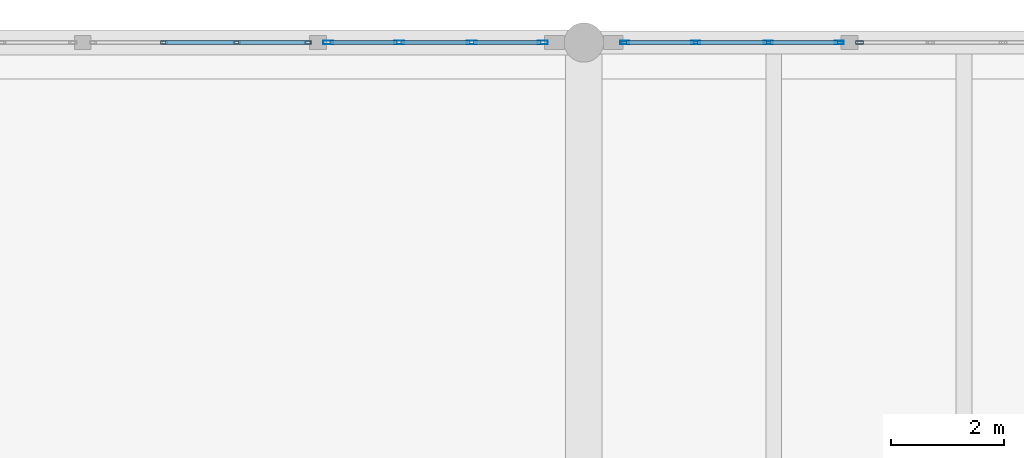
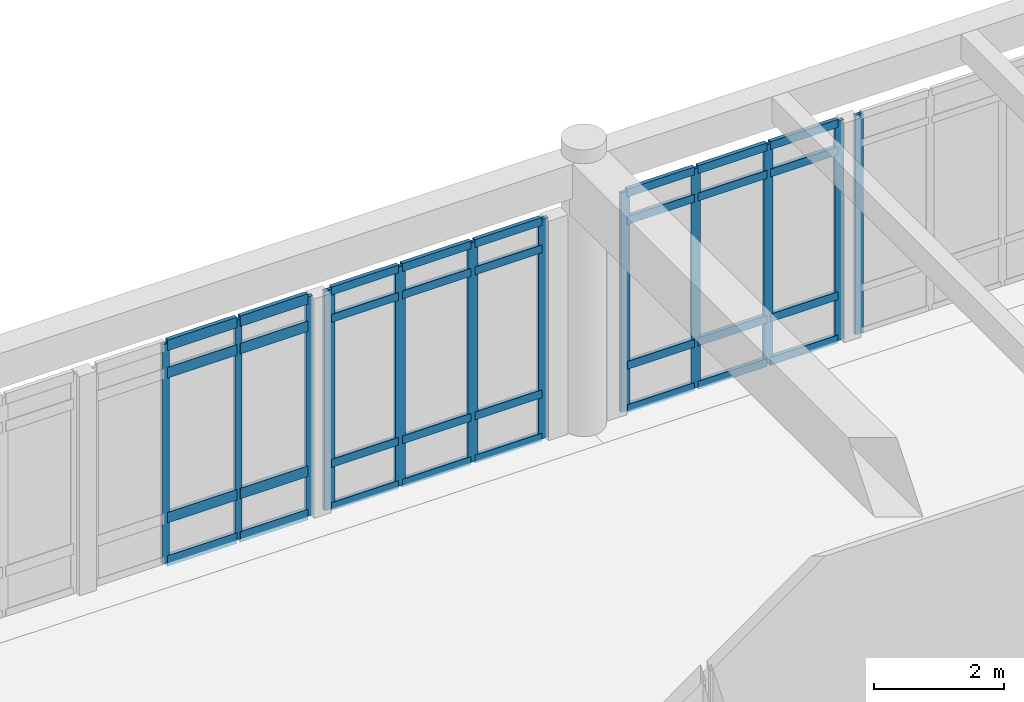
# One storey, part 56 of 138: 44 members, 4 elements without a shape of their own.
"""IFC4 building model written with IfcOpenShell, lengths in metres."""

from ifc_helpers import new_model, si_unit, direction, frame, origin, origin_2d, place, context, subcontext, project, spatial, hollow_rectangle, extrude, material, layer, layer_set, material_profile, profile_set, type_object, element, aggregate, save


model = new_model("IFC4")

# Units and contexts
model_context = context("Model", 3, precision=1e-05, world=origin(), true_north=direction((0.0, 1.0)))
body_context = subcontext(model_context, "Body", "Model", "MODEL_VIEW")
ifc_project = project(units=[si_unit("LENGTHUNIT", "METRE"), si_unit("AREAUNIT", "SQUARE_METRE"), si_unit("VOLUMEUNIT", "CUBIC_METRE"), si_unit("PLANEANGLEUNIT", "RADIAN"), si_unit("MASSUNIT", "GRAM", prefix="KILO")], contexts=[model_context])

# Site, building, storey
site_placement = place(None, origin())
site = spatial("IfcSite", under=ifc_project, at=site_placement, CompositionType="ELEMENT")
building_placement = place(site_placement, origin())
building = spatial("IfcBuilding", under=site, at=building_placement, Name="Fikremerkos Civic Library", CompositionType="ELEMENT")
storey_placement = place(building_placement, origin())
storey = spatial("IfcBuildingStorey", under=building, at=storey_placement, Name="L00", CompositionType="ELEMENT", Elevation=0.0)

# Curtain wall, members
ifc_material = material(Name="Anodized aluminium Frame", Category="aluminium")
ifc_layer_1 = layer(ifc_material, 0.159912109375, Name="Anodized aluminium Frame")
ifc_layer_set_1 = layer_set([ifc_layer_1], Name="Anodized aluminium Frame")
curtain_wall_type_1 = type_object("IfcCurtainWallType", Name="Unitised curtain wall CW-09 3600x3400", PredefinedType="USERDEFINED", material=ifc_layer_set_1)
curtain_wall_1_placement = place(storey_placement, origin())
curtain_wall_1 = element("IfcCurtainWall", 1, at=curtain_wall_1_placement, inside=storey, type_object=curtain_wall_type_1, Name="Unitised curtain wall CW-09 L00 #45", ObjectType="UNITISED CURTAIN WALL", PredefinedType="USERDEFINED")
ifc_material_profile_1 = material_profile(ifc_material, hollow_rectangle(XDim=0.06494140625, YDim=0.179931640625, WallThickness=0.00439453125, at=origin_2d()), Name="ALU 180x65x4.5")
ifc_profile_set_1 = profile_set([ifc_material_profile_1], Name="Anodized aluminium Frame")
member_type_1 = type_object("IfcMemberType", Name="Curtain mullion CWM-01 ALU 180x65x4.5", PredefinedType="MULLION", material=ifc_profile_set_1)
member_1_placement = place(storey_placement, frame((82.158203125, 117.60009765625, 0.0), z_axis=(0.0, 0.0, 1.0), x_axis=(0.0, 1.0, 0.0)))
member_1 = element("IfcMember", 2, at=member_1_placement, type_object=member_type_1, Name="CW-09 mullion 1", PredefinedType="MULLION", context=body_context, shape_type="SweptSolid", body=[
    extrude(hollow_rectangle(XDim=0.06494140625, YDim=0.179931640625, WallThickness=0.00439453125, at=origin_2d()), origin(), (0.0, 0.0, 1.0), 4.1298828125),
])
member_2_placement = place(storey_placement, frame((83.417724609375, 117.60009765625, 0.0), z_axis=(0.0, 0.0, 1.0), x_axis=(0.0, 1.0, 0.0)))
member_2 = element("IfcMember", 3, at=member_2_placement, type_object=member_type_1, Name="CW-09 mullion 2", PredefinedType="MULLION", context=body_context, shape_type="SweptSolid", body=[
    extrude(hollow_rectangle(XDim=0.06494140625, YDim=0.179931640625, WallThickness=0.00439453125, at=origin_2d()), origin(), (0.0, 0.0, 1.0), 4.1298828125),
])
member_3_placement = place(storey_placement, frame((84.7099609375, 117.60009765625, 0.0), z_axis=(0.0, 0.0, 1.0), x_axis=(0.0, 1.0, 0.0)))
member_3 = element("IfcMember", 4, at=member_3_placement, type_object=member_type_1, Name="CW-09 mullion 3", PredefinedType="MULLION", context=body_context, shape_type="SweptSolid", body=[
    extrude(hollow_rectangle(XDim=0.06494140625, YDim=0.179931640625, WallThickness=0.00439453125, at=origin_2d()), origin(), (0.0, 0.0, 1.0), 4.1298828125),
])
member_4_placement = place(storey_placement, frame((85.969482421875, 117.60009765625, 0.0), z_axis=(0.0, 0.0, 1.0), x_axis=(0.0, 1.0, 0.0)))
member_4 = element("IfcMember", 5, at=member_4_placement, type_object=member_type_1, Name="CW-09 mullion 4", PredefinedType="MULLION", context=body_context, shape_type="SweptSolid", body=[
    extrude(hollow_rectangle(XDim=0.06494140625, YDim=0.179931640625, WallThickness=0.00439453125, at=origin_2d()), origin(), (0.0, 0.0, 1.0), 4.1298828125),
])

ifc_layer_2 = layer(ifc_material, 0.159912109375, Name="Anodized aluminium Frame")
ifc_layer_set_2 = layer_set([ifc_layer_2], Name="Anodized aluminium Frame")
curtain_wall_type_2 = type_object("IfcCurtainWallType", Name="Unitised curtain wall CW-10 4000x3400", PredefinedType="USERDEFINED", material=ifc_layer_set_2)
curtain_wall_2_placement = place(storey_placement, origin())
curtain_wall_2 = element("IfcCurtainWall", 6, at=curtain_wall_2_placement, inside=storey, type_object=curtain_wall_type_2, Name="Unitised curtain wall CW-10 L00 #46", ObjectType="UNITISED CURTAIN WALL", PredefinedType="USERDEFINED")
ifc_material_profile_2 = material_profile(ifc_material, hollow_rectangle(XDim=0.06005859375, YDim=0.159912109375, WallThickness=0.00390625, at=origin_2d()), Name="ALU 160x60x4")
ifc_profile_set_2 = profile_set([ifc_material_profile_2], Name="Anodized aluminium Frame")
member_type_2 = type_object("IfcMemberType", Name="Curtain mullion CWM-02 ALU 160x60x4", PredefinedType="MULLION", material=ifc_profile_set_2)
member_5_placement = place(storey_placement, frame((87.427978515625, 117.60009765625, 0.0), z_axis=(0.0, 0.0, 1.0), x_axis=(0.0, 1.0, 0.0)))
member_5 = element("IfcMember", 7, at=member_5_placement, type_object=member_type_2, Name="CW-10 mullion 1", PredefinedType="MULLION", context=body_context, shape_type="SweptSolid", body=[
    extrude(hollow_rectangle(XDim=0.06005859375, YDim=0.159912109375, WallThickness=0.00390625, at=origin_2d()), origin(), (0.0, 0.0, 1.0), 4.1298828125),
])
member_6_placement = place(storey_placement, frame((88.687255859375, 117.60009765625, 0.0), z_axis=(0.0, 0.0, 1.0), x_axis=(0.0, 1.0, 0.0)))
member_6 = element("IfcMember", 8, at=member_6_placement, type_object=member_type_2, Name="CW-10 mullion 2", PredefinedType="MULLION", context=body_context, shape_type="SweptSolid", body=[
    extrude(hollow_rectangle(XDim=0.06005859375, YDim=0.159912109375, WallThickness=0.00390625, at=origin_2d()), origin(), (0.0, 0.0, 1.0), 4.1298828125),
])
member_7_placement = place(storey_placement, frame((89.9765625, 117.60009765625, 0.0), z_axis=(0.0, 0.0, 1.0), x_axis=(0.0, 1.0, 0.0)))
member_7 = element("IfcMember", 9, at=member_7_placement, type_object=member_type_2, Name="CW-10 mullion 3", PredefinedType="MULLION", context=body_context, shape_type="SweptSolid", body=[
    extrude(hollow_rectangle(XDim=0.06005859375, YDim=0.159912109375, WallThickness=0.00390625, at=origin_2d()), origin(), (0.0, 0.0, 1.0), 4.1298828125),
])
member_8_placement = place(storey_placement, frame((91.236083984375, 117.60009765625, 0.0), z_axis=(0.0, 0.0, 1.0), x_axis=(0.0, 1.0, 0.0)))
member_8 = element("IfcMember", 10, at=member_8_placement, type_object=member_type_2, Name="CW-10 mullion 4", PredefinedType="MULLION", context=body_context, shape_type="SweptSolid", body=[
    extrude(hollow_rectangle(XDim=0.06005859375, YDim=0.159912109375, WallThickness=0.00390625, at=origin_2d()), origin(), (0.0, 0.0, 1.0), 4.1298828125),
])

# Curtain wall, member
ifc_layer_3 = layer(ifc_material, 0.159912109375, Name="Anodized aluminium Frame")
ifc_layer_set_3 = layer_set([ifc_layer_3], Name="Anodized aluminium Frame")
curtain_wall_type_3 = type_object("IfcCurtainWallType", Name="Unitised curtain wall CW-11 3200x3400", PredefinedType="USERDEFINED", material=ifc_layer_set_3)
curtain_wall_3_placement = place(storey_placement, origin())
curtain_wall_3 = element("IfcCurtainWall", 11, at=curtain_wall_3_placement, inside=storey, type_object=curtain_wall_type_3, Name="Unitised curtain wall CW-11 L00 #47", ObjectType="UNITISED CURTAIN WALL", PredefinedType="USERDEFINED")
ifc_material_profile_3 = material_profile(ifc_material, hollow_rectangle(XDim=0.06005859375, YDim=0.139892578125, WallThickness=0.00390625, at=origin_2d()), Name="ALU 140x60x4")
ifc_profile_set_3 = profile_set([ifc_material_profile_3], Name="Anodized aluminium Frame")
member_type_3 = type_object("IfcMemberType", Name="Curtain mullion CWM-03 ALU 140x60x4", PredefinedType="MULLION", material=ifc_profile_set_3)
member_9_placement = place(storey_placement, frame((91.595947265625, 117.60009765625, 0.0), z_axis=(0.0, 0.0, 1.0), x_axis=(0.0, 1.0, 0.0)))
member_9 = element("IfcMember", 12, at=member_9_placement, type_object=member_type_3, Name="CW-11 mullion 1", PredefinedType="MULLION", context=body_context, shape_type="SweptSolid", body=[
    extrude(hollow_rectangle(XDim=0.06005859375, YDim=0.139892578125, WallThickness=0.00390625, at=origin_2d()), origin(), (0.0, 0.0, 1.0), 4.1298828125),
])
aggregate(curtain_wall_3, [member_9])

# Curtain wall, members
ifc_layer_4 = layer(ifc_material, 0.159912109375, Name="Anodized aluminium Frame")
ifc_layer_set_4 = layer_set([ifc_layer_4], Name="Anodized aluminium Frame")
curtain_wall_type_4 = type_object("IfcCurtainWallType", Name="Unitised curtain wall CW-08 4500x4100", PredefinedType="USERDEFINED", material=ifc_layer_set_4)
curtain_wall_4_placement = place(storey_placement, origin())
curtain_wall_4 = element("IfcCurtainWall", 13, at=curtain_wall_4_placement, inside=storey, type_object=curtain_wall_type_4, Name="Unitised curtain wall CW-08 L00 #44", ObjectType="UNITISED CURTAIN WALL", PredefinedType="USERDEFINED")
ifc_material_profile_4 = material_profile(ifc_material, hollow_rectangle(XDim=0.06005859375, YDim=0.1201171875, WallThickness=0.00390625, at=origin_2d()), Name="ALU 120x60x4")
ifc_profile_set_4 = profile_set([ifc_material_profile_4], Name="Anodized aluminium Frame")
member_type_4 = type_object("IfcMemberType", Name="Curtain mullion CWM-04 ALU 120x60x4", PredefinedType="MULLION", material=ifc_profile_set_4)
member_10_placement = place(storey_placement, frame((79.241455078125, 117.60009765625, 0.0), z_axis=(0.0, 0.0, 1.0), x_axis=(0.0, 1.0, 0.0)))
member_10 = element("IfcMember", 14, at=member_10_placement, type_object=member_type_4, Name="CW-08 mullion 2", PredefinedType="MULLION", context=body_context, shape_type="SweptSolid", body=[
    extrude(hollow_rectangle(XDim=0.06005859375, YDim=0.1201171875, WallThickness=0.00390625, at=origin_2d()), origin(), (0.0, 0.0, 1.0), 4.1298828125),
])
member_11_placement = place(storey_placement, frame((80.533447265625, 117.60009765625, 0.0), z_axis=(0.0, 0.0, 1.0), x_axis=(0.0, 1.0, 0.0)))
member_11 = element("IfcMember", 15, at=member_11_placement, type_object=member_type_4, Name="CW-08 mullion 3", PredefinedType="MULLION", context=body_context, shape_type="SweptSolid", body=[
    extrude(hollow_rectangle(XDim=0.06005859375, YDim=0.1201171875, WallThickness=0.00390625, at=origin_2d()), origin(), (0.0, 0.0, 1.0), 4.1298828125),
])
member_12_placement = place(storey_placement, frame((81.795654296875, 117.60009765625, 0.0), z_axis=(0.0, 0.0, 1.0), x_axis=(0.0, 1.0, 0.0)))
member_12 = element("IfcMember", 16, at=member_12_placement, type_object=member_type_4, Name="CW-08 mullion 4", PredefinedType="MULLION", context=body_context, shape_type="SweptSolid", body=[
    extrude(hollow_rectangle(XDim=0.06005859375, YDim=0.1201171875, WallThickness=0.00390625, at=origin_2d()), origin(), (0.0, 0.0, 1.0), 4.1298828125),
])

# Member
ifc_material_profile_5 = material_profile(ifc_material, hollow_rectangle(XDim=0.070068359375, YDim=0.14990234375, WallThickness=0.00439453125, at=origin_2d()), Name="ALU 150x70x4.5")
ifc_profile_set_5 = profile_set([ifc_material_profile_5], Name="Anodized aluminium Frame")
member_type_5 = type_object("IfcMemberType", Name="Curtain transom CWT-01 ALU 150x70x4.5", PredefinedType="USERDEFINED", material=ifc_profile_set_5)
member_13_placement = place(storey_placement, frame((82.190673828125, 117.60009765625, 0.034912109375), z_axis=(1.0, 0.0, 0.0), x_axis=(0.0, 1.0, 0.0)))
member_13 = element("IfcMember", 17, at=member_13_placement, type_object=member_type_5, Name="CW-09 transom 1.1", ObjectType="TRANSOM", PredefinedType="USERDEFINED", context=body_context, shape_type="SweptSolid", body=[
    extrude(hollow_rectangle(XDim=0.070068359375, YDim=0.14990234375, WallThickness=0.00439453125, at=origin_2d()), origin(), (0.0, 0.0, 1.0), 1.194580078125),
])

member_14_placement = place(storey_placement, frame((82.190673828125, 117.60009765625, 0.85009765625), z_axis=(1.0, 0.0, 0.0), x_axis=(0.0, 1.0, 0.0)))
member_14 = element("IfcMember", 18, at=member_14_placement, type_object=member_type_5, Name="CW-09 transom 1.2", ObjectType="TRANSOM", PredefinedType="USERDEFINED", context=body_context, shape_type="SweptSolid", body=[
    extrude(hollow_rectangle(XDim=0.070068359375, YDim=0.14990234375, WallThickness=0.00439453125, at=origin_2d()), origin(), (0.0, 0.0, 1.0), 1.194580078125),
])

member_15_placement = place(storey_placement, frame((82.190673828125, 117.60009765625, 3.580078125), z_axis=(1.0, 0.0, 0.0), x_axis=(0.0, 1.0, 0.0)))
member_15 = element("IfcMember", 19, at=member_15_placement, type_object=member_type_5, Name="CW-09 transom 1.3", ObjectType="TRANSOM", PredefinedType="USERDEFINED", context=body_context, shape_type="SweptSolid", body=[
    extrude(hollow_rectangle(XDim=0.070068359375, YDim=0.14990234375, WallThickness=0.00439453125, at=origin_2d()), origin(), (0.0, 0.0, 1.0), 1.194580078125),
])

member_16_placement = place(storey_placement, frame((82.190673828125, 117.60009765625, 4.094970703125), z_axis=(1.0, 0.0, 0.0), x_axis=(0.0, 1.0, 0.0)))
member_16 = element("IfcMember", 20, at=member_16_placement, type_object=member_type_5, Name="CW-09 transom 1.4", ObjectType="TRANSOM", PredefinedType="USERDEFINED", context=body_context, shape_type="SweptSolid", body=[
    extrude(hollow_rectangle(XDim=0.070068359375, YDim=0.14990234375, WallThickness=0.00439453125, at=origin_2d()), origin(), (0.0, 0.0, 1.0), 1.194580078125),
])

member_17_placement = place(storey_placement, frame((83.4501953125, 117.60009765625, 0.034912109375), z_axis=(1.0, 0.0, 0.0), x_axis=(0.0, 1.0, 0.0)))
member_17 = element("IfcMember", 21, at=member_17_placement, type_object=member_type_5, Name="CW-09 transom 2.1", ObjectType="TRANSOM", PredefinedType="USERDEFINED", context=body_context, shape_type="SweptSolid", body=[
    extrude(hollow_rectangle(XDim=0.070068359375, YDim=0.14990234375, WallThickness=0.00439453125, at=origin_2d()), origin(), (0.0, 0.0, 1.0), 1.227294921875),
])

member_18_placement = place(storey_placement, frame((83.4501953125, 117.60009765625, 0.85009765625), z_axis=(1.0, 0.0, 0.0), x_axis=(0.0, 1.0, 0.0)))
member_18 = element("IfcMember", 22, at=member_18_placement, type_object=member_type_5, Name="CW-09 transom 2.2", ObjectType="TRANSOM", PredefinedType="USERDEFINED", context=body_context, shape_type="SweptSolid", body=[
    extrude(hollow_rectangle(XDim=0.070068359375, YDim=0.14990234375, WallThickness=0.00439453125, at=origin_2d()), origin(), (0.0, 0.0, 1.0), 1.227294921875),
])

member_19_placement = place(storey_placement, frame((83.4501953125, 117.60009765625, 3.580078125), z_axis=(1.0, 0.0, 0.0), x_axis=(0.0, 1.0, 0.0)))
member_19 = element("IfcMember", 23, at=member_19_placement, type_object=member_type_5, Name="CW-09 transom 2.3", ObjectType="TRANSOM", PredefinedType="USERDEFINED", context=body_context, shape_type="SweptSolid", body=[
    extrude(hollow_rectangle(XDim=0.070068359375, YDim=0.14990234375, WallThickness=0.00439453125, at=origin_2d()), origin(), (0.0, 0.0, 1.0), 1.227294921875),
])

member_20_placement = place(storey_placement, frame((83.4501953125, 117.60009765625, 4.094970703125), z_axis=(1.0, 0.0, 0.0), x_axis=(0.0, 1.0, 0.0)))
member_20 = element("IfcMember", 24, at=member_20_placement, type_object=member_type_5, Name="CW-09 transom 2.4", ObjectType="TRANSOM", PredefinedType="USERDEFINED", context=body_context, shape_type="SweptSolid", body=[
    extrude(hollow_rectangle(XDim=0.070068359375, YDim=0.14990234375, WallThickness=0.00439453125, at=origin_2d()), origin(), (0.0, 0.0, 1.0), 1.227294921875),
])

member_21_placement = place(storey_placement, frame((84.742431640625, 117.60009765625, 0.034912109375), z_axis=(1.0, 0.0, 0.0), x_axis=(0.0, 1.0, 0.0)))
member_21 = element("IfcMember", 25, at=member_21_placement, type_object=member_type_5, Name="CW-09 transom 3.1", ObjectType="TRANSOM", PredefinedType="USERDEFINED", context=body_context, shape_type="SweptSolid", body=[
    extrude(hollow_rectangle(XDim=0.070068359375, YDim=0.14990234375, WallThickness=0.00439453125, at=origin_2d()), origin(), (0.0, 0.0, 1.0), 1.194580078125),
])

member_22_placement = place(storey_placement, frame((84.742431640625, 117.60009765625, 0.85009765625), z_axis=(1.0, 0.0, 0.0), x_axis=(0.0, 1.0, 0.0)))
member_22 = element("IfcMember", 26, at=member_22_placement, type_object=member_type_5, Name="CW-09 transom 3.2", ObjectType="TRANSOM", PredefinedType="USERDEFINED", context=body_context, shape_type="SweptSolid", body=[
    extrude(hollow_rectangle(XDim=0.070068359375, YDim=0.14990234375, WallThickness=0.00439453125, at=origin_2d()), origin(), (0.0, 0.0, 1.0), 1.194580078125),
])

member_23_placement = place(storey_placement, frame((84.742431640625, 117.60009765625, 3.580078125), z_axis=(1.0, 0.0, 0.0), x_axis=(0.0, 1.0, 0.0)))
member_23 = element("IfcMember", 27, at=member_23_placement, type_object=member_type_5, Name="CW-09 transom 3.3", ObjectType="TRANSOM", PredefinedType="USERDEFINED", context=body_context, shape_type="SweptSolid", body=[
    extrude(hollow_rectangle(XDim=0.070068359375, YDim=0.14990234375, WallThickness=0.00439453125, at=origin_2d()), origin(), (0.0, 0.0, 1.0), 1.194580078125),
])

member_24_placement = place(storey_placement, frame((84.742431640625, 117.60009765625, 4.094970703125), z_axis=(1.0, 0.0, 0.0), x_axis=(0.0, 1.0, 0.0)))
member_24 = element("IfcMember", 28, at=member_24_placement, type_object=member_type_5, Name="CW-09 transom 3.4", ObjectType="TRANSOM", PredefinedType="USERDEFINED", context=body_context, shape_type="SweptSolid", body=[
    extrude(hollow_rectangle(XDim=0.070068359375, YDim=0.14990234375, WallThickness=0.00439453125, at=origin_2d()), origin(), (0.0, 0.0, 1.0), 1.194580078125),
])

aggregate(curtain_wall_1, [member_1, member_2, member_3, member_4, member_13, member_14, member_15, member_16, member_17, member_18, member_19, member_20, member_21, member_22, member_23, member_24])

member_25_placement = place(storey_placement, frame((87.4580078125, 117.60009765625, 0.034912109375), z_axis=(1.0, 0.0, 0.0), x_axis=(0.0, 1.0, 0.0)))
member_25 = element("IfcMember", 29, at=member_25_placement, type_object=member_type_5, Name="CW-10 transom 1.1", ObjectType="TRANSOM", PredefinedType="USERDEFINED", context=body_context, shape_type="SweptSolid", body=[
    extrude(hollow_rectangle(XDim=0.070068359375, YDim=0.14990234375, WallThickness=0.00439453125, at=origin_2d()), origin(), (0.0, 0.0, 1.0), 1.19921875),
])

member_26_placement = place(storey_placement, frame((87.4580078125, 117.60009765625, 0.85009765625), z_axis=(1.0, 0.0, 0.0), x_axis=(0.0, 1.0, 0.0)))
member_26 = element("IfcMember", 30, at=member_26_placement, type_object=member_type_5, Name="CW-10 transom 1.2", ObjectType="TRANSOM", PredefinedType="USERDEFINED", context=body_context, shape_type="SweptSolid", body=[
    extrude(hollow_rectangle(XDim=0.070068359375, YDim=0.14990234375, WallThickness=0.00439453125, at=origin_2d()), origin(), (0.0, 0.0, 1.0), 1.19921875),
])

member_27_placement = place(storey_placement, frame((87.4580078125, 117.60009765625, 3.580078125), z_axis=(1.0, 0.0, 0.0), x_axis=(0.0, 1.0, 0.0)))
member_27 = element("IfcMember", 31, at=member_27_placement, type_object=member_type_5, Name="CW-10 transom 1.3", ObjectType="TRANSOM", PredefinedType="USERDEFINED", context=body_context, shape_type="SweptSolid", body=[
    extrude(hollow_rectangle(XDim=0.070068359375, YDim=0.14990234375, WallThickness=0.00439453125, at=origin_2d()), origin(), (0.0, 0.0, 1.0), 1.19921875),
])

member_28_placement = place(storey_placement, frame((87.4580078125, 117.60009765625, 4.094970703125), z_axis=(1.0, 0.0, 0.0), x_axis=(0.0, 1.0, 0.0)))
member_28 = element("IfcMember", 32, at=member_28_placement, type_object=member_type_5, Name="CW-10 transom 1.4", ObjectType="TRANSOM", PredefinedType="USERDEFINED", context=body_context, shape_type="SweptSolid", body=[
    extrude(hollow_rectangle(XDim=0.070068359375, YDim=0.14990234375, WallThickness=0.00439453125, at=origin_2d()), origin(), (0.0, 0.0, 1.0), 1.19921875),
])

member_29_placement = place(storey_placement, frame((88.71728515625, 117.60009765625, 0.034912109375), z_axis=(1.0, 0.0, 0.0), x_axis=(0.0, 1.0, 0.0)))
member_29 = element("IfcMember", 33, at=member_29_placement, type_object=member_type_5, Name="CW-10 transom 2.1", ObjectType="TRANSOM", PredefinedType="USERDEFINED", context=body_context, shape_type="SweptSolid", body=[
    extrude(hollow_rectangle(XDim=0.070068359375, YDim=0.14990234375, WallThickness=0.00439453125, at=origin_2d()), origin(), (0.0, 0.0, 1.0), 1.2294921875),
])

member_30_placement = place(storey_placement, frame((88.71728515625, 117.60009765625, 0.85009765625), z_axis=(1.0, 0.0, 0.0), x_axis=(0.0, 1.0, 0.0)))
member_30 = element("IfcMember", 34, at=member_30_placement, type_object=member_type_5, Name="CW-10 transom 2.2", ObjectType="TRANSOM", PredefinedType="USERDEFINED", context=body_context, shape_type="SweptSolid", body=[
    extrude(hollow_rectangle(XDim=0.070068359375, YDim=0.14990234375, WallThickness=0.00439453125, at=origin_2d()), origin(), (0.0, 0.0, 1.0), 1.2294921875),
])

member_31_placement = place(storey_placement, frame((88.71728515625, 117.60009765625, 3.580078125), z_axis=(1.0, 0.0, 0.0), x_axis=(0.0, 1.0, 0.0)))
member_31 = element("IfcMember", 35, at=member_31_placement, type_object=member_type_5, Name="CW-10 transom 2.3", ObjectType="TRANSOM", PredefinedType="USERDEFINED", context=body_context, shape_type="SweptSolid", body=[
    extrude(hollow_rectangle(XDim=0.070068359375, YDim=0.14990234375, WallThickness=0.00439453125, at=origin_2d()), origin(), (0.0, 0.0, 1.0), 1.2294921875),
])

member_32_placement = place(storey_placement, frame((88.71728515625, 117.60009765625, 4.094970703125), z_axis=(1.0, 0.0, 0.0), x_axis=(0.0, 1.0, 0.0)))
member_32 = element("IfcMember", 36, at=member_32_placement, type_object=member_type_5, Name="CW-10 transom 2.4", ObjectType="TRANSOM", PredefinedType="USERDEFINED", context=body_context, shape_type="SweptSolid", body=[
    extrude(hollow_rectangle(XDim=0.070068359375, YDim=0.14990234375, WallThickness=0.00439453125, at=origin_2d()), origin(), (0.0, 0.0, 1.0), 1.2294921875),
])

member_33_placement = place(storey_placement, frame((90.006591796875, 117.60009765625, 0.034912109375), z_axis=(1.0, 0.0, 0.0), x_axis=(0.0, 1.0, 0.0)))
member_33 = element("IfcMember", 37, at=member_33_placement, type_object=member_type_5, Name="CW-10 transom 3.1", ObjectType="TRANSOM", PredefinedType="USERDEFINED", context=body_context, shape_type="SweptSolid", body=[
    extrude(hollow_rectangle(XDim=0.070068359375, YDim=0.14990234375, WallThickness=0.00439453125, at=origin_2d()), origin(), (0.0, 0.0, 1.0), 1.199462890625),
])

member_34_placement = place(storey_placement, frame((90.006591796875, 117.60009765625, 0.85009765625), z_axis=(1.0, 0.0, 0.0), x_axis=(0.0, 1.0, 0.0)))
member_34 = element("IfcMember", 38, at=member_34_placement, type_object=member_type_5, Name="CW-10 transom 3.2", ObjectType="TRANSOM", PredefinedType="USERDEFINED", context=body_context, shape_type="SweptSolid", body=[
    extrude(hollow_rectangle(XDim=0.070068359375, YDim=0.14990234375, WallThickness=0.00439453125, at=origin_2d()), origin(), (0.0, 0.0, 1.0), 1.199462890625),
])

member_35_placement = place(storey_placement, frame((90.006591796875, 117.60009765625, 3.580078125), z_axis=(1.0, 0.0, 0.0), x_axis=(0.0, 1.0, 0.0)))
member_35 = element("IfcMember", 39, at=member_35_placement, type_object=member_type_5, Name="CW-10 transom 3.3", ObjectType="TRANSOM", PredefinedType="USERDEFINED", context=body_context, shape_type="SweptSolid", body=[
    extrude(hollow_rectangle(XDim=0.070068359375, YDim=0.14990234375, WallThickness=0.00439453125, at=origin_2d()), origin(), (0.0, 0.0, 1.0), 1.199462890625),
])

member_36_placement = place(storey_placement, frame((90.006591796875, 117.60009765625, 4.094970703125), z_axis=(1.0, 0.0, 0.0), x_axis=(0.0, 1.0, 0.0)))
member_36 = element("IfcMember", 40, at=member_36_placement, type_object=member_type_5, Name="CW-10 transom 3.4", ObjectType="TRANSOM", PredefinedType="USERDEFINED", context=body_context, shape_type="SweptSolid", body=[
    extrude(hollow_rectangle(XDim=0.070068359375, YDim=0.14990234375, WallThickness=0.00439453125, at=origin_2d()), origin(), (0.0, 0.0, 1.0), 1.199462890625),
])

aggregate(curtain_wall_2, [member_5, member_6, member_7, member_8, member_25, member_26, member_27, member_28, member_29, member_30, member_31, member_32, member_33, member_34, member_35, member_36])

ifc_material_profile_6 = material_profile(ifc_material, hollow_rectangle(XDim=0.070068359375, YDim=0.199951171875, WallThickness=0.0048828125, at=origin_2d()), Name="ALU 200x70x5")
ifc_profile_set_6 = profile_set([ifc_material_profile_6], Name="Anodized aluminium Frame")
member_type_6 = type_object("IfcMemberType", Name="Curtain transom CWT-04 ALU 200x70x5", PredefinedType="USERDEFINED", material=ifc_profile_set_6)
member_37_placement = place(storey_placement, frame((79.271484375, 117.60009765625, 0.034912109375), z_axis=(1.0, 0.0, 0.0), x_axis=(0.0, 1.0, 0.0)))
member_37 = element("IfcMember", 41, at=member_37_placement, type_object=member_type_6, Name="CW-08 transom 2.1", ObjectType="TRANSOM", PredefinedType="USERDEFINED", context=body_context, shape_type="SweptSolid", body=[
    extrude(hollow_rectangle(XDim=0.070068359375, YDim=0.199951171875, WallThickness=0.0048828125, at=origin_2d()), origin(), (0.0, 0.0, 1.0), 1.232177734375),
])

member_38_placement = place(storey_placement, frame((79.271484375, 117.60009765625, 0.85009765625), z_axis=(1.0, 0.0, 0.0), x_axis=(0.0, 1.0, 0.0)))
member_38 = element("IfcMember", 42, at=member_38_placement, type_object=member_type_6, Name="CW-08 transom 2.2", ObjectType="TRANSOM", PredefinedType="USERDEFINED", context=body_context, shape_type="SweptSolid", body=[
    extrude(hollow_rectangle(XDim=0.070068359375, YDim=0.199951171875, WallThickness=0.0048828125, at=origin_2d()), origin(), (0.0, 0.0, 1.0), 1.232177734375),
])

member_39_placement = place(storey_placement, frame((79.271484375, 117.60009765625, 3.580078125), z_axis=(1.0, 0.0, 0.0), x_axis=(0.0, 1.0, 0.0)))
member_39 = element("IfcMember", 43, at=member_39_placement, type_object=member_type_6, Name="CW-08 transom 2.3", ObjectType="TRANSOM", PredefinedType="USERDEFINED", context=body_context, shape_type="SweptSolid", body=[
    extrude(hollow_rectangle(XDim=0.070068359375, YDim=0.199951171875, WallThickness=0.0048828125, at=origin_2d()), origin(), (0.0, 0.0, 1.0), 1.232177734375),
])

member_40_placement = place(storey_placement, frame((79.271484375, 117.60009765625, 4.094970703125), z_axis=(1.0, 0.0, 0.0), x_axis=(0.0, 1.0, 0.0)))
member_40 = element("IfcMember", 44, at=member_40_placement, type_object=member_type_6, Name="CW-08 transom 2.4", ObjectType="TRANSOM", PredefinedType="USERDEFINED", context=body_context, shape_type="SweptSolid", body=[
    extrude(hollow_rectangle(XDim=0.070068359375, YDim=0.199951171875, WallThickness=0.0048828125, at=origin_2d()), origin(), (0.0, 0.0, 1.0), 1.232177734375),
])

member_41_placement = place(storey_placement, frame((80.5634765625, 117.60009765625, 0.034912109375), z_axis=(1.0, 0.0, 0.0), x_axis=(0.0, 1.0, 0.0)))
member_41 = element("IfcMember", 45, at=member_41_placement, type_object=member_type_6, Name="CW-08 transom 3.1", ObjectType="TRANSOM", PredefinedType="USERDEFINED", context=body_context, shape_type="SweptSolid", body=[
    extrude(hollow_rectangle(XDim=0.070068359375, YDim=0.199951171875, WallThickness=0.0048828125, at=origin_2d()), origin(), (0.0, 0.0, 1.0), 1.2021484375),
])

member_42_placement = place(storey_placement, frame((80.5634765625, 117.60009765625, 0.85009765625), z_axis=(1.0, 0.0, 0.0), x_axis=(0.0, 1.0, 0.0)))
member_42 = element("IfcMember", 46, at=member_42_placement, type_object=member_type_6, Name="CW-08 transom 3.2", ObjectType="TRANSOM", PredefinedType="USERDEFINED", context=body_context, shape_type="SweptSolid", body=[
    extrude(hollow_rectangle(XDim=0.070068359375, YDim=0.199951171875, WallThickness=0.0048828125, at=origin_2d()), origin(), (0.0, 0.0, 1.0), 1.2021484375),
])

member_43_placement = place(storey_placement, frame((80.5634765625, 117.60009765625, 3.580078125), z_axis=(1.0, 0.0, 0.0), x_axis=(0.0, 1.0, 0.0)))
member_43 = element("IfcMember", 47, at=member_43_placement, type_object=member_type_6, Name="CW-08 transom 3.3", ObjectType="TRANSOM", PredefinedType="USERDEFINED", context=body_context, shape_type="SweptSolid", body=[
    extrude(hollow_rectangle(XDim=0.070068359375, YDim=0.199951171875, WallThickness=0.0048828125, at=origin_2d()), origin(), (0.0, 0.0, 1.0), 1.2021484375),
])

member_44_placement = place(storey_placement, frame((80.5634765625, 117.60009765625, 4.094970703125), z_axis=(1.0, 0.0, 0.0), x_axis=(0.0, 1.0, 0.0)))
member_44 = element("IfcMember", 48, at=member_44_placement, type_object=member_type_6, Name="CW-08 transom 3.4", ObjectType="TRANSOM", PredefinedType="USERDEFINED", context=body_context, shape_type="SweptSolid", body=[
    extrude(hollow_rectangle(XDim=0.070068359375, YDim=0.199951171875, WallThickness=0.0048828125, at=origin_2d()), origin(), (0.0, 0.0, 1.0), 1.2021484375),
])

aggregate(curtain_wall_4, [member_10, member_11, member_12, member_37, member_38, member_39, member_40, member_41, member_42, member_43, member_44])

save(model, "model.ifc")
